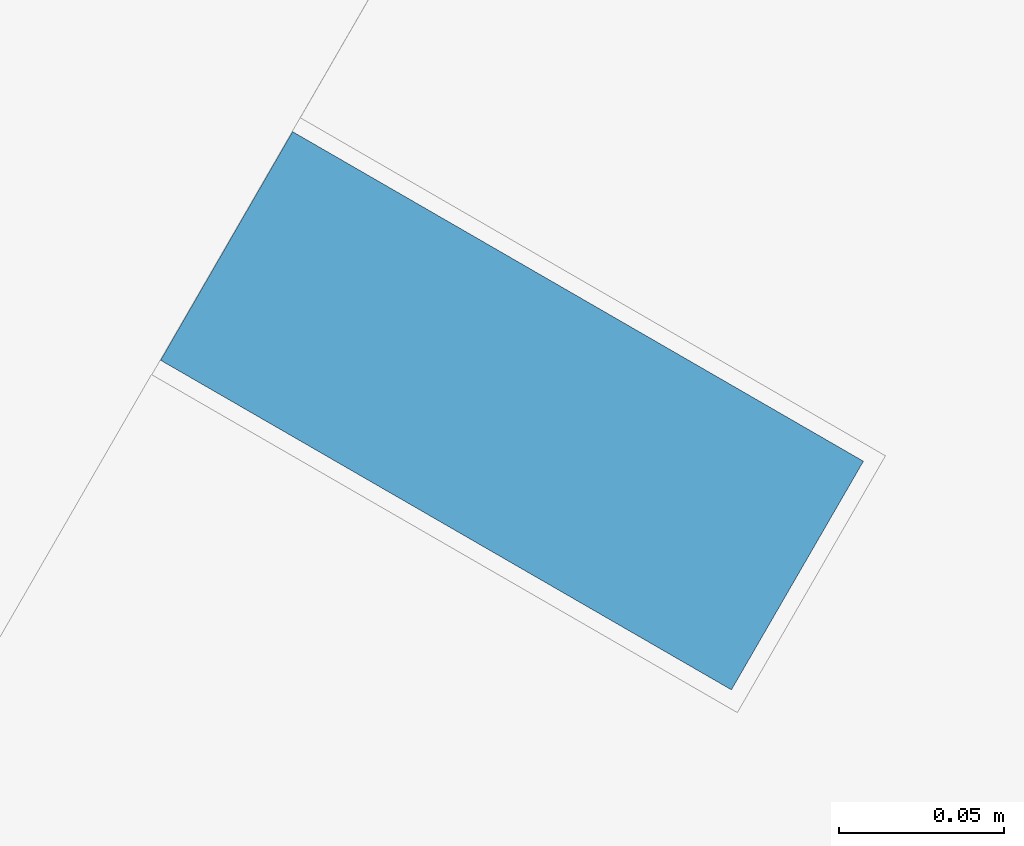
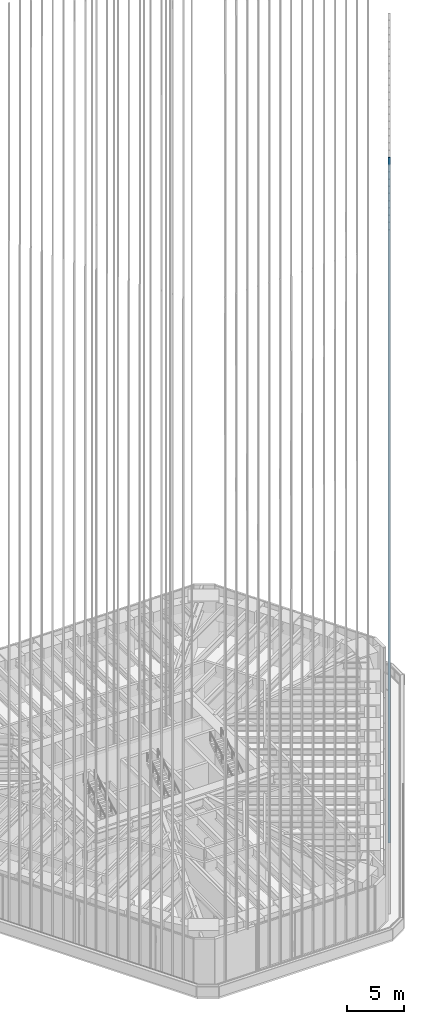
# One storey, part 94 of 228: 1 member, 1 element without a shape of its own.
"""IFC4 building model written with IfcOpenShell, lengths in metres."""

from ifc_helpers import new_model, si_unit, direction, frame, origin, origin_2d, place, context, subcontext, project, spatial, rectangle, extrude, material, material_profile, profile_set, type_object, element, aggregate, save


model = new_model("IFC4")

# Units and contexts
model_context = context("Model", 3, precision=1e-05, world=origin(), true_north=direction((0.0, 1.0)))
body_context = subcontext(model_context, "Body", "Model", "MODEL_VIEW")
ifc_project = project(units=[si_unit("LENGTHUNIT", "METRE"), si_unit("AREAUNIT", "SQUARE_METRE"), si_unit("VOLUMEUNIT", "CUBIC_METRE"), si_unit("PLANEANGLEUNIT", "RADIAN"), si_unit("MASSUNIT", "GRAM", prefix="KILO")], contexts=[model_context])

# Site, building, storey
site_placement = place(None, origin())
site = spatial("IfcSite", under=ifc_project, at=site_placement, CompositionType="ELEMENT")
building_placement = place(site_placement, origin())
building = spatial("IfcBuilding", under=site, at=building_placement, Name="Sandreach Pilgrim Tower", CompositionType="ELEMENT")
storey_placement = place(building_placement, frame((0.0, 0.0, 178.199951171875)))
storey = spatial("IfcBuildingStorey", under=building, at=storey_placement, Name="L44", CompositionType="ELEMENT", Elevation=178.199951171875)

# Curtain wall, member
ifc_material_1 = material(Name="Aluminium framed curtain wall", Category="aluminium")
curtain_wall_type = type_object("IfcCurtainWallType", Name="Upper hotel tower curtain wall", PredefinedType="NOTDEFINED", material=ifc_material_1)
curtain_wall_placement = place(storey_placement, origin())
curtain_wall = element("IfcCurtainWall", 1, at=curtain_wall_placement, inside=storey, type_object=curtain_wall_type, Name="CW-3 L44 SE", PredefinedType="NOTDEFINED")
ifc_material_2 = material(Name="Extruded terracotta on aluminium core", Category="masonry")
ifc_material_profile = material_profile(ifc_material_2, rectangle(XDim=0.080078125, YDim=0.199951171875, at=origin_2d()), Name="TBE 80X200")
ifc_profile_set = profile_set([ifc_material_profile], Name="Extruded terracotta on aluminium core")
member_type = type_object("IfcMemberType", Name="Terracotta baguette east", PredefinedType="USERDEFINED", material=ifc_profile_set)
member_placement = place(storey_placement, frame((15.91845703125, -15.548828125, 0.0), z_axis=(0.0, 0.0, 1.0), x_axis=(-0.5, -0.866025403784, 0.0)))
member = element("IfcMember", 2, at=member_placement, type_object=member_type, Name="Baguette Z3 SE21", ObjectType="BAGUETTE", PredefinedType="USERDEFINED", context=body_context, shape_type="SweptSolid", body=[
    extrude(rectangle(XDim=0.080078125, YDim=0.199951171875, at=origin_2d()), origin(), (0.0, 0.0, 1.0), 73.239990234375),
])
aggregate(curtain_wall, [member])

save(model, "model.ifc")
